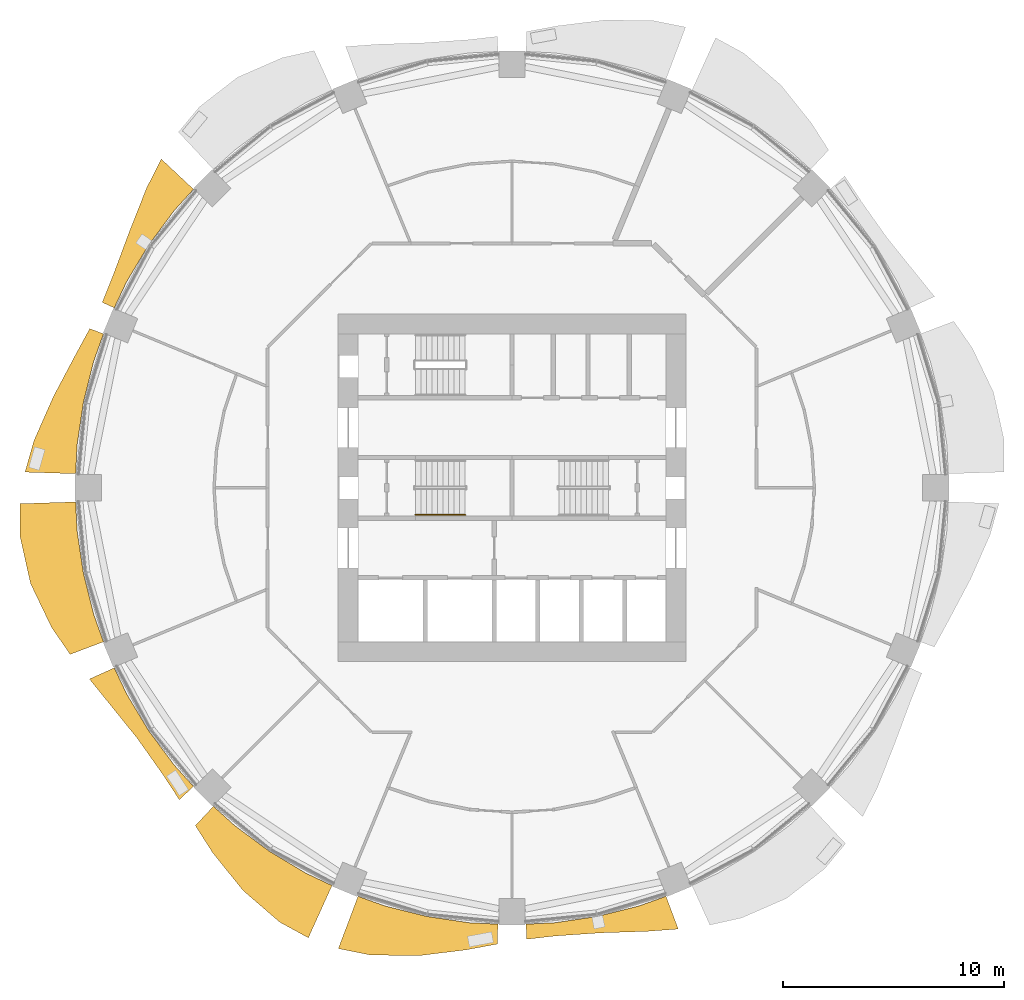
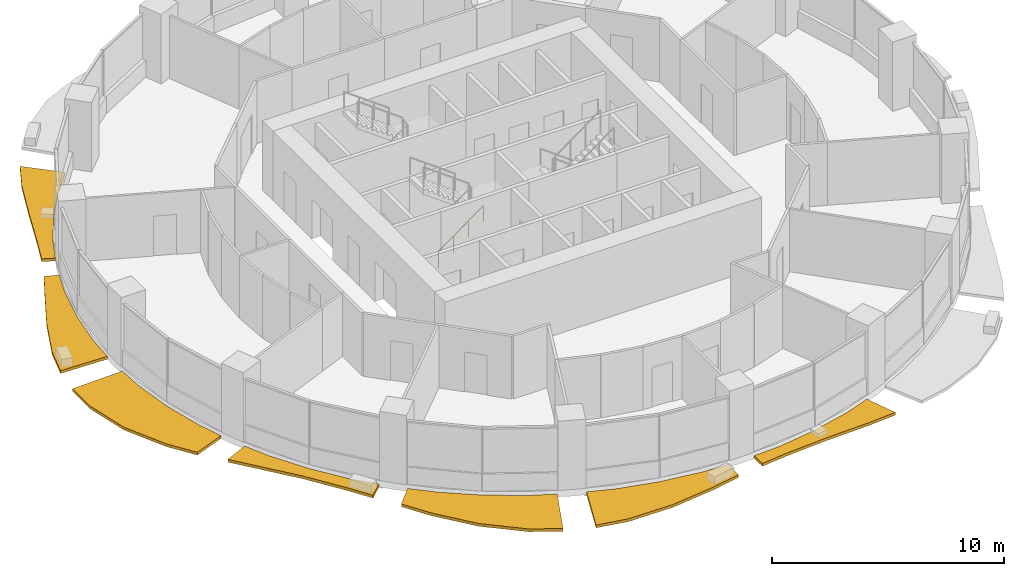
# One storey, part 12 of 15: 7 shading devices, 1 railing.
"""IFC4 building model written with IfcOpenShell, lengths in metres."""

from ifc_helpers import new_model, si_unit, direction, frame, origin, origin_2d, place, context, subcontext, project, spatial, polyline, circle, outline, extrude, material, type_object, element, save


model = new_model("IFC4")

# Units and contexts
model_context = context("Model", 3, precision=1e-05, world=origin(), true_north=direction((0.0, 1.0)))
body_context = subcontext(model_context, "Body", "Model", "MODEL_VIEW")
ifc_project = project(units=[si_unit("LENGTHUNIT", "METRE"), si_unit("AREAUNIT", "SQUARE_METRE"), si_unit("VOLUMEUNIT", "CUBIC_METRE"), si_unit("PLANEANGLEUNIT", "RADIAN"), si_unit("MASSUNIT", "GRAM", prefix="KILO")], contexts=[model_context])

# Site, building, storey
site_placement = place(None, origin())
site = spatial("IfcSite", under=ifc_project, at=site_placement, CompositionType="ELEMENT")
building_placement = place(site_placement, origin())
building = spatial("IfcBuilding", under=site, at=building_placement, Name="Polderwave Tower", CompositionType="ELEMENT")
storey_placement = place(building_placement, frame((0.0, 0.0, 29.85009765625)))
storey = spatial("IfcBuildingStorey", under=building, at=storey_placement, Name="L07", CompositionType="ELEMENT", Elevation=29.85009765625)

# Railing
ifc_material_1 = material(Name="Stainless steel", Category="steel")
railing_type = type_object("IfcRailingType", Name="Stair handrail 900", PredefinedType="HANDRAIL", material=ifc_material_1)
railing_placement = place(storey_placement, frame((-4.3740234375, -1.22509765625, 0.182373046875)))
element("IfcRailing", 1, at=railing_placement, inside=storey, type_object=railing_type, Name="L07 ST-A stair handrail 1", PredefinedType="HANDRAIL", context=body_context, shape_type="SweptSolid", body=[
    extrude(circle(Radius=0.02392578125, at=origin_2d()), frame((0.0, 0.0, 0.8759765625), z_axis=(0.807673635365, 0.0, 0.58962979804), x_axis=(0.0, 1.0, 0.0)), (0.0, 0.0, 1.0), 2.785888671875),
    extrude(circle(Radius=0.02099609375, at=origin_2d()), origin(), (0.0, 0.0, 1.0), 0.851806640625),
    extrude(circle(Radius=0.02099609375, at=origin_2d()), frame((0.75, 0.0, 0.547607421875)), (0.0, 0.0, 1.0), 0.851806640625),
    extrude(circle(Radius=0.02099609375, at=origin_2d()), frame((1.5, 0.0, 1.094970703125)), (0.0, 0.0, 1.0), 0.851806640625),
    extrude(circle(Radius=0.02099609375, at=origin_2d()), frame((2.25, 0.0, 1.642578125)), (0.0, 0.0, 1.0), 0.851806640625),
])

# Shading devices
ifc_material_2 = material(Name="Terracotta", Category="masonry")
shading_device_type = type_object("IfcShadingDeviceType", Name="Terracotta sunshade band", PredefinedType="USERDEFINED", material=ifc_material_2)
shading_device_1_placement = place(storey_placement, frame((0.0, 0.0, -0.35009765625)))
element("IfcShadingDevice", 2, at=shading_device_1_placement, inside=storey, type_object=shading_device_type, Name="Sunshade band L07 7", ObjectType="SUNSHADE", PredefinedType="USERDEFINED", context=body_context, shape_type="SweptSolid", body=[
    extrude(outline(polyline([(-14.429443359375, 13.527587890625), (-15.3056640625, 12.56103515625), (-16.463134765625, 11.000244140625), (-17.4619140625, 9.333740234375), (-18.019775390625, 8.154296875), (-18.566650390625, 8.401611328125), (-18.064453125, 9.655517578125), (-17.34375, 11.588623046875), (-16.555908203125, 13.587158203125), (-15.8896484375, 14.896484375), (-14.429443359375, 13.527587890625)])), origin(), (0.0, 0.0, 1.0), 0.14990234375),
])
shading_device_2_placement = place(storey_placement, frame((0.0, 0.0, -0.35009765625)))
element("IfcShadingDevice", 3, at=shading_device_2_placement, inside=storey, type_object=shading_device_type, Name="Sunshade band L07 8", ObjectType="SUNSHADE", PredefinedType="USERDEFINED", context=body_context, shape_type="SweptSolid", body=[
    extrude(outline(polyline([(-18.5078125, 6.97607421875), (-18.947509765625, 5.74755859375), (-19.41943359375, 3.86279296875), (-19.70458984375, 1.940673828125), (-19.768798828125, 0.6376953125), (-22.064208984375, 0.711669921875), (-21.66162109375, 2.133544921875), (-20.780517578125, 4.133544921875), (-19.7900390625, 6.00341796875), (-19.13330078125, 7.2119140625), (-18.5078125, 6.97607421875)])), origin(), (0.0, 0.0, 1.0), 0.14990234375),
])
shading_device_3_placement = place(storey_placement, frame((0.0, 0.0, -0.35009765625)))
element("IfcShadingDevice", 4, at=shading_device_3_placement, inside=storey, type_object=shading_device_type, Name="Sunshade band L07 9", ObjectType="SUNSHADE", PredefinedType="USERDEFINED", context=body_context, shape_type="SweptSolid", body=[
    extrude(outline(polyline([(-19.768798828125, -0.6376953125), (-19.70458984375, -1.940673828125), (-19.41943359375, -3.86279296875), (-18.947509765625, -5.74755859375), (-18.5078125, -6.97607421875), (-20.018798828125, -7.54541015625), (-20.860107421875, -6.327880859375), (-21.813720703125, -4.339111328125), (-22.2919921875, -2.195556640625), (-22.283203125, -0.71875), (-19.768798828125, -0.6376953125)])), origin(), (0.0, 0.0, 1.0), 0.14990234375),
])
shading_device_4_placement = place(storey_placement, frame((0.0, 0.0, -0.35009765625)))
element("IfcShadingDevice", 5, at=shading_device_4_placement, inside=storey, type_object=shading_device_type, Name="Sunshade band L07 10", ObjectType="SUNSHADE", PredefinedType="USERDEFINED", context=body_context, shape_type="SweptSolid", body=[
    extrude(outline(polyline([(-18.019775390625, -8.154296875), (-17.4619140625, -9.333740234375), (-16.463134765625, -11.000244140625), (-15.3056640625, -12.56103515625), (-14.429443359375, -13.527587890625), (-15.0732421875, -14.13134765625), (-15.8232421875, -12.985595703125), (-16.98095703125, -11.34619140625), (-18.260498046875, -9.760498046875), (-19.146240234375, -8.6640625), (-18.019775390625, -8.154296875)])), origin(), (0.0, 0.0, 1.0), 0.14990234375),
])
shading_device_5_placement = place(storey_placement, frame((0.0, 0.0, -0.35009765625)))
element("IfcShadingDevice", 6, at=shading_device_5_placement, inside=storey, type_object=shading_device_type, Name="Sunshade band L07 11", ObjectType="SUNSHADE", PredefinedType="USERDEFINED", context=body_context, shape_type="SweptSolid", body=[
    extrude(outline(polyline([(-13.527587890625, -14.429443359375), (-12.56103515625, -15.3056640625), (-11.000244140625, -16.463134765625), (-9.333740234375, -17.4619140625), (-8.154296875, -18.019775390625), (-9.226318359375, -20.388427734375), (-10.520263671875, -19.681884765625), (-12.189697265625, -18.2431640625), (-13.56494140625, -16.52880859375), (-14.347412109375, -15.3037109375), (-13.527587890625, -14.429443359375)])), origin(), (0.0, 0.0, 1.0), 0.14990234375),
])
shading_device_6_placement = place(storey_placement, frame((0.0, 0.0, -0.35009765625)))
element("IfcShadingDevice", 7, at=shading_device_6_placement, inside=storey, type_object=shading_device_type, Name="Sunshade band L07 12", ObjectType="SUNSHADE", PredefinedType="USERDEFINED", context=body_context, shape_type="SweptSolid", body=[
    extrude(outline(polyline([(-6.97607421875, -18.5078125), (-5.74755859375, -18.947509765625), (-3.86279296875, -19.41943359375), (-1.940673828125, -19.70458984375), (-0.6376953125, -19.768798828125), (-0.666748046875, -20.671630859375), (-2.061767578125, -20.932373046875), (-4.21630859375, -21.197021484375), (-6.4208984375, -21.1669921875), (-7.868896484375, -20.876708984375), (-6.97607421875, -18.5078125)])), origin(), (0.0, 0.0, 1.0), 0.14990234375),
])
shading_device_7_placement = place(storey_placement, frame((0.0, 0.0, -0.35009765625)))
element("IfcShadingDevice", 8, at=shading_device_7_placement, inside=storey, type_object=shading_device_type, Name="Sunshade band L07 13", ObjectType="SUNSHADE", PredefinedType="USERDEFINED", context=body_context, shape_type="SweptSolid", body=[
    extrude(outline(polyline([(0.6376953125, -19.768798828125), (1.940673828125, -19.70458984375), (3.86279296875, -19.41943359375), (5.74755859375, -18.947509765625), (6.97607421875, -18.5078125), (7.53515625, -19.9912109375), (6.09619140625, -20.0966796875), (4.0107421875, -20.163818359375), (1.99951171875, -20.302001953125), (0.659912109375, -20.452392578125), (0.6376953125, -19.768798828125)])), origin(), (0.0, 0.0, 1.0), 0.14990234375),
])

save(model, "model.ifc")
